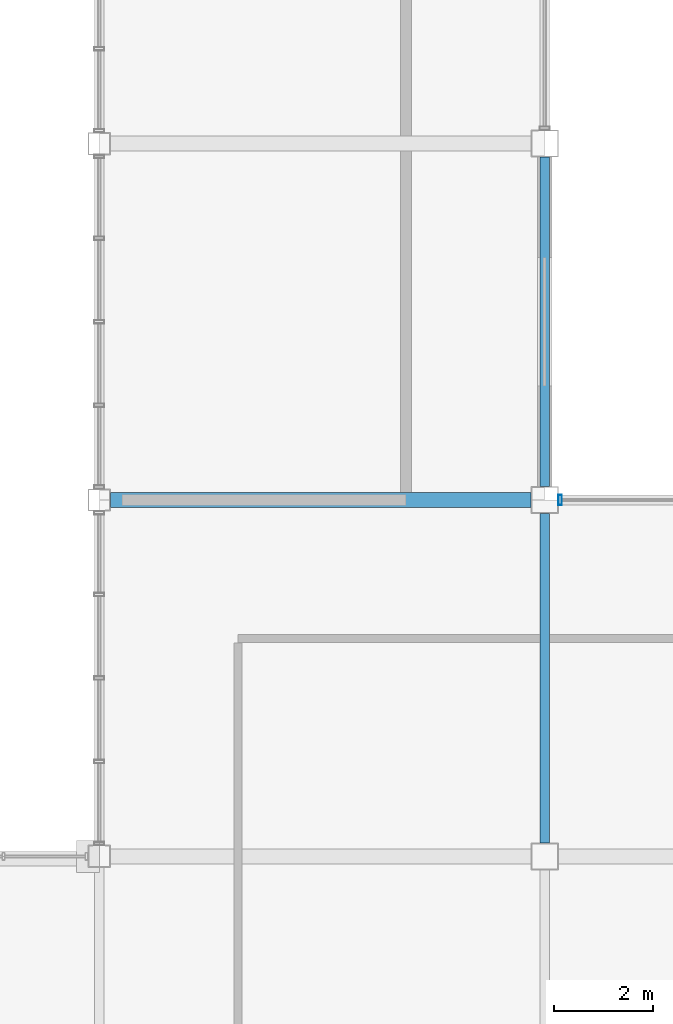
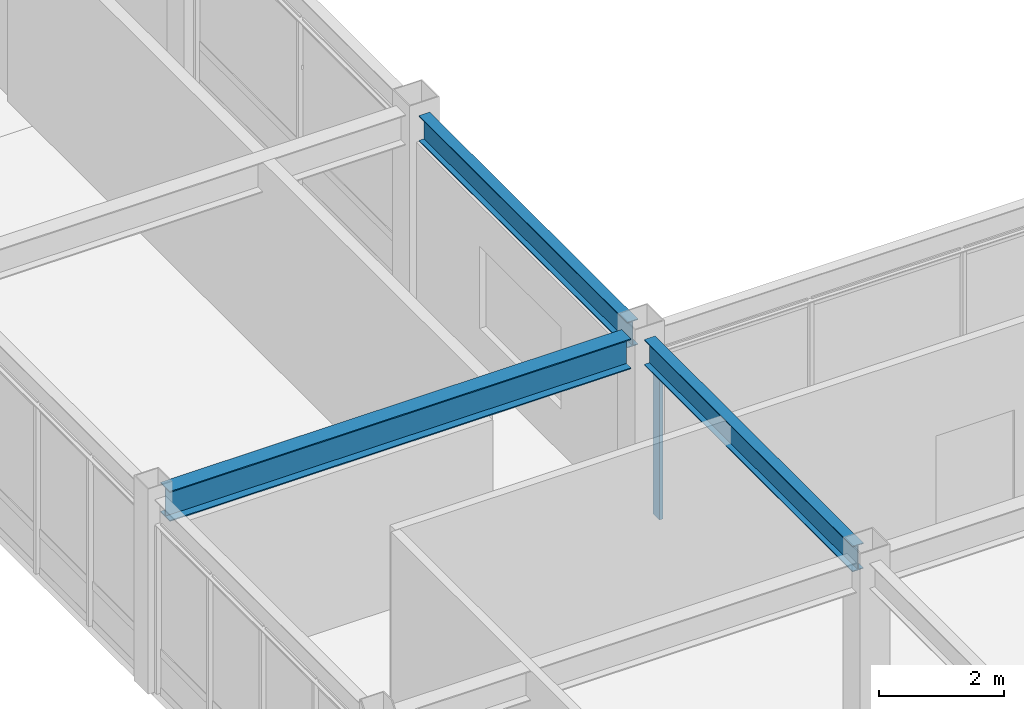
# One storey, part 31 of 122: 3 beams, 1 member, 1 element without a shape of its own.
"""IFC4 building model written with IfcOpenShell, lengths in metres."""

from ifc_helpers import new_model, si_unit, direction, frame, origin, origin_2d, place, context, subcontext, project, spatial, hollow_rectangle, i_section, extrude, material, material_profile, profile_set, type_object, element, aggregate, save


model = new_model("IFC4")

# Units and contexts
model_context = context("Model", 3, precision=1e-05, world=origin(), true_north=direction((0.0, 1.0)))
body_context = subcontext(model_context, "Body", "Model", "MODEL_VIEW")
ifc_project = project(units=[si_unit("LENGTHUNIT", "METRE"), si_unit("AREAUNIT", "SQUARE_METRE"), si_unit("VOLUMEUNIT", "CUBIC_METRE"), si_unit("PLANEANGLEUNIT", "RADIAN"), si_unit("MASSUNIT", "GRAM", prefix="KILO")], contexts=[model_context])

# Site, building, storey
site_placement = place(None, origin())
site = spatial("IfcSite", under=ifc_project, at=site_placement, CompositionType="ELEMENT")
building_placement = place(site_placement, origin())
building = spatial("IfcBuilding", under=site, at=building_placement, Name="Kazanami Central Library", CompositionType="ELEMENT")
storey_placement = place(building_placement, frame((0.0, 0.0, 4.800048828125)))
storey = spatial("IfcBuildingStorey", under=building, at=storey_placement, Name="L02", CompositionType="ELEMENT", Elevation=4.800048828125)

# Beams
ifc_material_1 = material(Name="Steel SN490B (325 MPa)", Category="steel")
ifc_material_profile_1 = material_profile(ifc_material_1, i_section(OverallWidth=0.300048828125, OverallDepth=0.587890625, WebThickness=0.011962890625, FlangeThickness=0.02001953125, at=origin_2d()), Name="H-588x300x12x20")
ifc_profile_set_1 = profile_set([ifc_material_profile_1], Name="Steel SN490B (325 MPa)")
beam_type_1 = type_object("IfcBeamType", Name="BM-G-X2", PredefinedType="BEAM", material=ifc_profile_set_1)
beam_1_placement = place(storey_placement, frame((45.222900390625, 36.0, 3.4609375), z_axis=(1.0, 0.0, 0.0), x_axis=(0.0, 1.0, 0.0)))
element("IfcBeam", 1, at=beam_1_placement, inside=storey, type_object=beam_type_1, Name="Girder G-X2 L02 F/6-7", PredefinedType="BEAM", context=body_context, shape_type="SweptSolid", body=[
    extrude(i_section(OverallWidth=0.300048828125, OverallDepth=0.587890625, WebThickness=0.011962890625, FlangeThickness=0.02001953125, at=origin_2d()), origin(), (0.0, 0.0, 1.0), 8.504150390625),
])
ifc_material_profile_2 = material_profile(ifc_material_1, i_section(OverallWidth=0.199951171875, OverallDepth=0.5, WebThickness=0.010009765625, FlangeThickness=0.01611328125, at=origin_2d()), Name="H-500x200x10x16")
ifc_profile_set_2 = profile_set([ifc_material_profile_2], Name="Steel SN490B (325 MPa)")
beam_type_2 = type_object("IfcBeamType", Name="BM-G-Y2", PredefinedType="BEAM", material=ifc_profile_set_2)
beam_2_placement = place(storey_placement, frame((54.0, 29.072998046875, 3.5048828125), z_axis=(0.0, 1.0, 0.0), x_axis=(-1.0, 0.0, 0.0)))
element("IfcBeam", 2, at=beam_2_placement, inside=storey, type_object=beam_type_2, Name="Girder G-Y2 L02 7/E-F", PredefinedType="BEAM", context=body_context, shape_type="SweptSolid", body=[
    extrude(i_section(OverallWidth=0.199951171875, OverallDepth=0.5, WebThickness=0.010009765625, FlangeThickness=0.01611328125, at=origin_2d()), origin(), (0.0, 0.0, 1.0), 6.654052734375),
])
ifc_material_profile_3 = material_profile(ifc_material_1, i_section(OverallWidth=0.199951171875, OverallDepth=0.5, WebThickness=0.010009765625, FlangeThickness=0.01611328125, at=origin_2d()), Name="H-500x200x10x16")
ifc_profile_set_3 = profile_set([ifc_material_profile_3], Name="Steel SN490B (325 MPa)")
beam_type_3 = type_object("IfcBeamType", Name="BM-SP-1", PredefinedType="SPANDREL", material=ifc_profile_set_3)
beam_3_placement = place(storey_placement, frame((54.0, 36.27294921875, 3.5048828125), z_axis=(0.0, 1.0, 0.0), x_axis=(-1.0, 0.0, 0.0)))
element("IfcBeam", 3, at=beam_3_placement, inside=storey, type_object=beam_type_3, Name="Girder SP-1 L02 7/F-G", PredefinedType="SPANDREL", context=body_context, shape_type="SweptSolid", body=[
    extrude(i_section(OverallWidth=0.199951171875, OverallDepth=0.5, WebThickness=0.010009765625, FlangeThickness=0.01611328125, at=origin_2d()), origin(), (0.0, 0.0, 1.0), 6.654052734375),
])

# Curtain wall, member
ifc_material_2 = material(Name="Acid-Etched Low-E Laminated Glass", Category="glass")
curtain_wall_type = type_object("IfcCurtainWallType", Name="CW-8450x3255-M275", PredefinedType="USERDEFINED", material=ifc_material_2)
curtain_wall_placement = place(storey_placement, origin())
curtain_wall = element("IfcCurtainWall", 4, at=curtain_wall_placement, inside=storey, type_object=curtain_wall_type, Name="Unitised Curtain Wall CW-13 L02 N-F-06", ObjectType="UNITISED CURTAIN WALL", PredefinedType="USERDEFINED")
ifc_material_3 = material(Name="Anodised Aluminium A6063-T5", Category="aluminium")
ifc_material_profile_4 = material_profile(ifc_material_3, hollow_rectangle(XDim=0.070068359375, YDim=0.2099609375, WallThickness=0.0048828125, at=origin_2d()), Name="ALU-MULL-70x210x5")
ifc_profile_set_4 = profile_set([ifc_material_profile_4], Name="Anodised Aluminium A6063-T5")
member_type = type_object("IfcMemberType", Name="MEM-CW-M1", PredefinedType="MULLION", material=ifc_profile_set_4)
member_placement = place(storey_placement, frame((54.31005859375, 36.0, 0.0), z_axis=(0.0, 0.0, 1.0), x_axis=(-1.0, 0.0, 0.0)))
member = element("IfcMember", 5, at=member_placement, type_object=member_type, Name="CW-13 mullion 4", PredefinedType="MULLION", context=body_context, shape_type="SweptSolid", body=[
    extrude(hollow_rectangle(XDim=0.070068359375, YDim=0.2099609375, WallThickness=0.0048828125, at=origin_2d()), origin(), (0.0, 0.0, 1.0), 3.2548828125),
])
aggregate(curtain_wall, [member])

save(model, "model.ifc")
